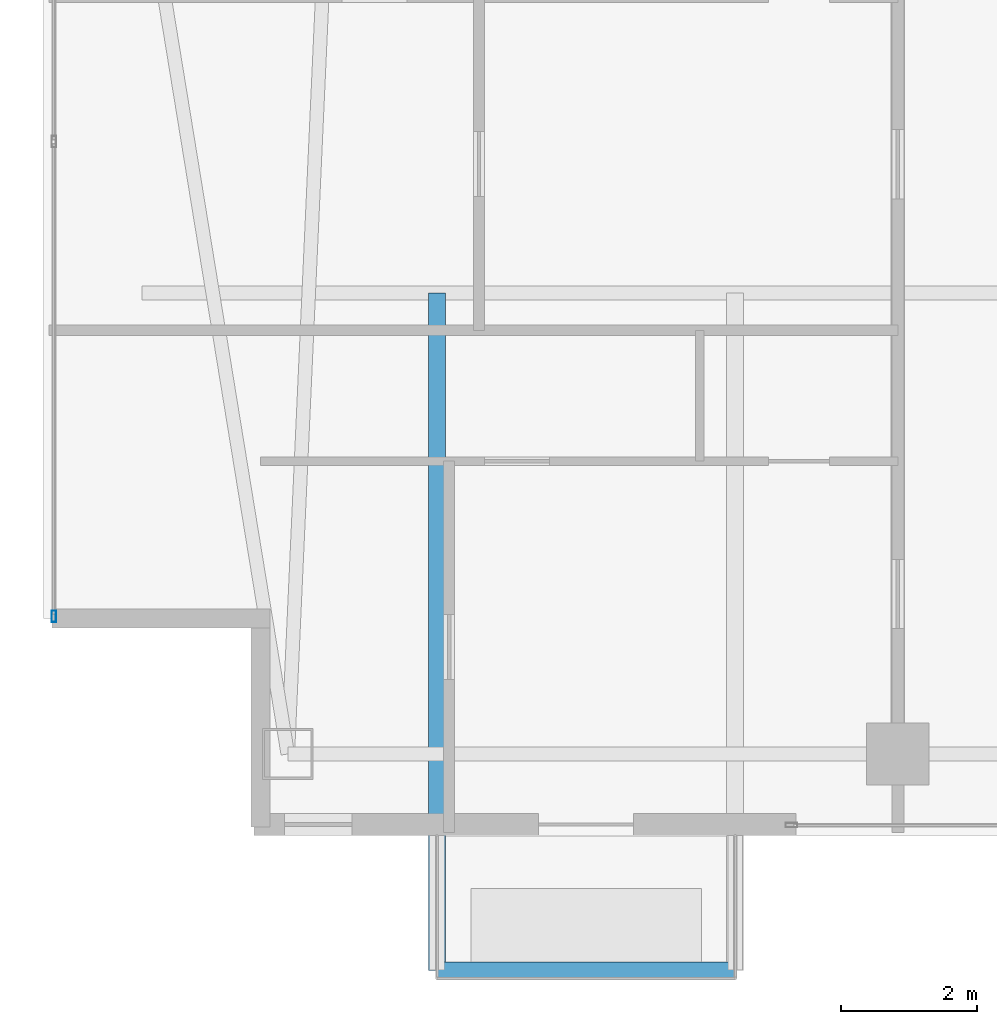
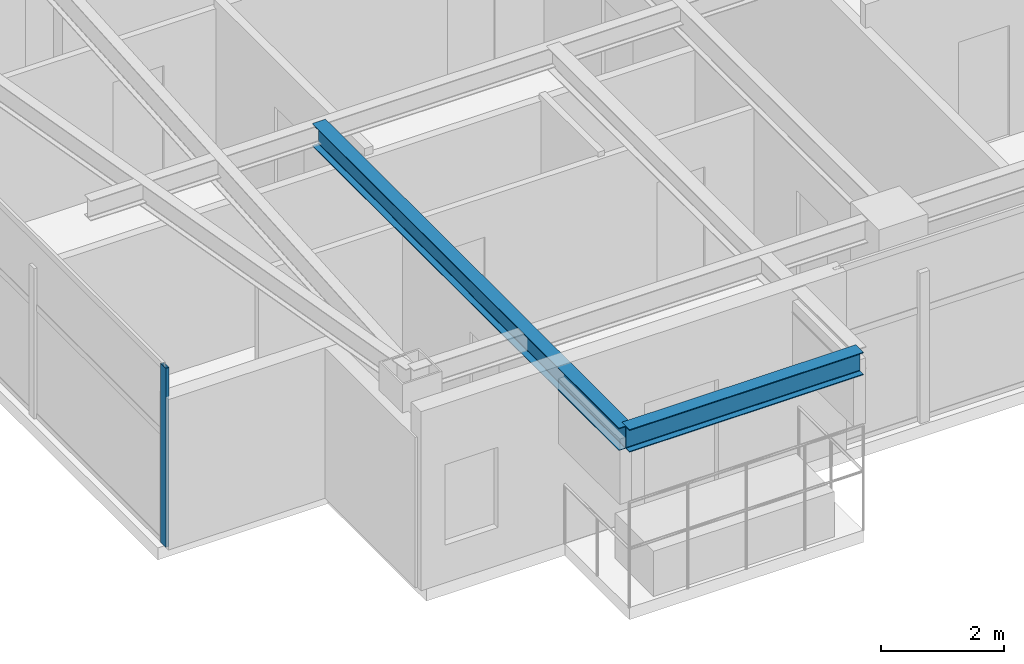
# One storey, part 2 of 27: 2 beams, 1 member, 1 element without a shape of its own.
"""IFC4 building model written with IfcOpenShell, lengths in metres."""

from ifc_helpers import new_model, si_unit, direction, frame, origin, origin_2d, place, context, subcontext, project, spatial, hollow_rectangle, i_section, extrude, material, layer, layer_set, material_profile, profile_set, type_object, element, aggregate, save


model = new_model("IFC4")

# Units and contexts
model_context = context("Model", 3, precision=1e-05, world=origin(), true_north=direction((0.0, 1.0)))
body_context = subcontext(model_context, "Body", "Model", "MODEL_VIEW")
ifc_project = project(units=[si_unit("LENGTHUNIT", "METRE"), si_unit("AREAUNIT", "SQUARE_METRE"), si_unit("VOLUMEUNIT", "CUBIC_METRE"), si_unit("PLANEANGLEUNIT", "RADIAN"), si_unit("MASSUNIT", "GRAM", prefix="KILO")], contexts=[model_context])

# Site, building, storey
site_placement = place(None, origin())
site = spatial("IfcSite", under=ifc_project, at=site_placement, CompositionType="ELEMENT")
building_placement = place(site_placement, origin())
building = spatial("IfcBuilding", under=site, at=building_placement, Name="Calvorn Quay Hotel", CompositionType="ELEMENT")
storey_placement = place(building_placement, frame((0.0, 0.0, 294.89990234375)))
storey = spatial("IfcBuildingStorey", under=building, at=storey_placement, Name="L73", CompositionType="ELEMENT", Elevation=294.89990234375)

# Beams
ifc_material_1 = material(Name="Steel Q355B", Category="steel")
ifc_material_profile_1 = material_profile(ifc_material_1, i_section(OverallWidth=0.25, OverallDepth=0.449951171875, WebThickness=0.011962890625, FlangeThickness=0.01611328125, FilletRadius=0.01611328125, at=origin_2d()), Name="HN450x250x12x16")
ifc_profile_set_1 = profile_set([ifc_material_profile_1], Name="Steel Q355B")
beam_type = type_object("IfcBeamType", Name="BM-CANT-BALC", PredefinedType="BEAM", material=ifc_profile_set_1)
beam_1_placement = place(storey_placement, frame((5.800048828125, 10.39990234375, 3.315185546875), z_axis=(0.0, -1.0, 0.0), x_axis=(1.0, 0.0, 0.0)))
element("IfcBeam", 1, at=beam_1_placement, inside=storey, type_object=beam_type, Name="Cantilever Balcony Beam BCB-L74-2A", PredefinedType="BEAM", context=body_context, shape_type="SweptSolid", body=[
    extrude(i_section(OverallWidth=0.25, OverallDepth=0.449951171875, WebThickness=0.011962890625, FlangeThickness=0.01611328125, FilletRadius=0.01611328125, at=origin_2d()), origin(), (0.0, 0.0, 1.0), 9.989990234375),
])
beam_2_placement = place(storey_placement, frame((5.800048828125, 0.409912109375, 3.315185546875), z_axis=(1.0, 0.0, 0.0), x_axis=(0.0, 1.0, 0.0)))
element("IfcBeam", 2, at=beam_2_placement, inside=storey, type_object=beam_type, Name="Beam BCBO-L74-2", PredefinedType="BEAM", context=body_context, shape_type="SweptSolid", body=[
    extrude(i_section(OverallWidth=0.25, OverallDepth=0.449951171875, WebThickness=0.011962890625, FlangeThickness=0.01611328125, FilletRadius=0.01611328125, at=origin_2d()), origin(), (0.0, 0.0, 1.0), 4.39990234375),
])

# Curtain wall, member
ifc_material_2 = material(Name="Champagne Bronze Anodised Aluminium and Low-E Glass", Category="aluminium")
ifc_layer = layer(ifc_material_2, 0.219970703125)
ifc_layer_set = layer_set([ifc_layer], Name="CW-SYS-Z4")
curtain_wall_type = type_object("IfcCurtainWallType", Name="CW-SYS-Z4", PredefinedType="NOTDEFINED", material=ifc_layer_set)
curtain_wall_placement = place(storey_placement, origin())
curtain_wall = element("IfcCurtainWall", 3, at=curtain_wall_placement, inside=storey, type_object=curtain_wall_type, Name="Tower West Curtain Wall (L73)", PredefinedType="NOTDEFINED")
ifc_material_3 = material(Name="Champagne Bronze Anodised Aluminium 6063-T6", Category="aluminium")
ifc_material_profile_2 = material_profile(ifc_material_3, hollow_rectangle(XDim=0.06494140625, YDim=0.169921875, WallThickness=0.00341796875, at=origin_2d()), Name="ALU-M170x65x3.5")
ifc_profile_set_2 = profile_set([ifc_material_profile_2], Name="Champagne Bronze Anodised Aluminium 6063-T6")
member_type = type_object("IfcMemberType", Name="CW-SYS-Z4-MUL", PredefinedType="MULLION", material=ifc_profile_set_2)
member_placement = place(storey_placement, frame((0.14990234375, 5.6298828125, 0.0), z_axis=(0.0, 0.0, 1.0), x_axis=(-1.0, 0.0, 0.0)))
member = element("IfcMember", 4, at=member_placement, type_object=member_type, Name="CW-L73-W mullion 1", PredefinedType="MULLION", context=body_context, shape_type="SweptSolid", body=[
    extrude(hollow_rectangle(XDim=0.06494140625, YDim=0.169921875, WallThickness=0.00341796875, at=origin_2d()), origin(), (0.0, 0.0, 1.0), 3.56005859375),
])
aggregate(curtain_wall, [member])

save(model, "model.ifc")
